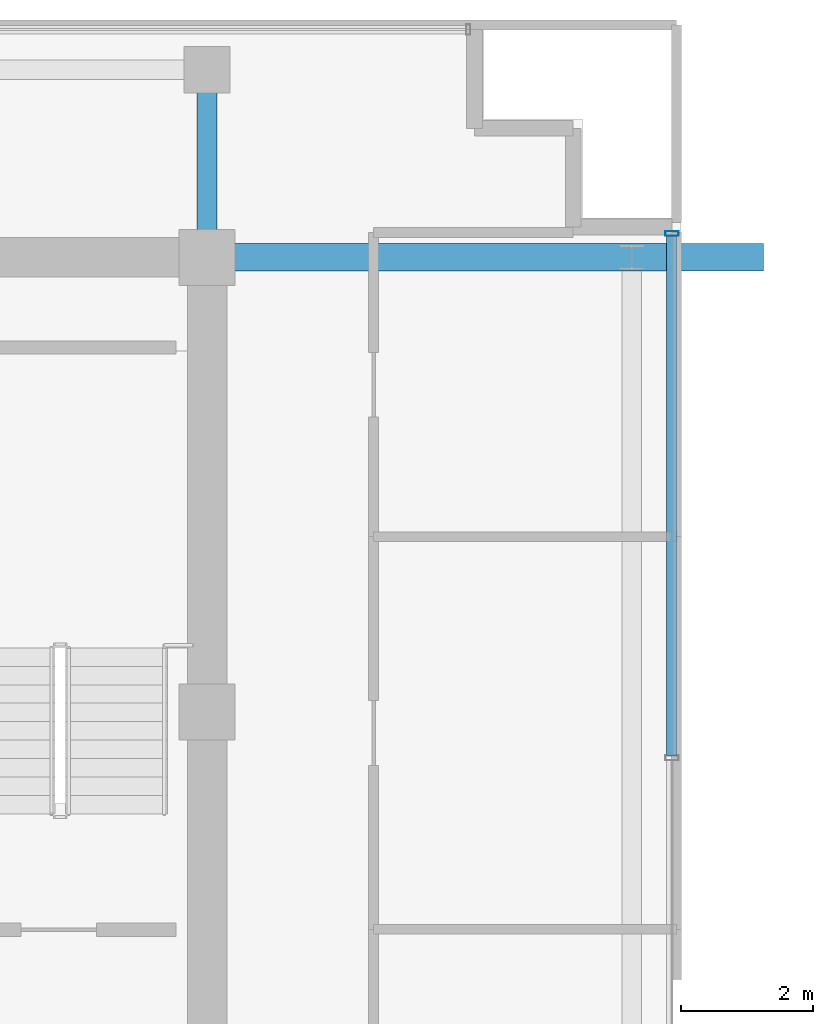
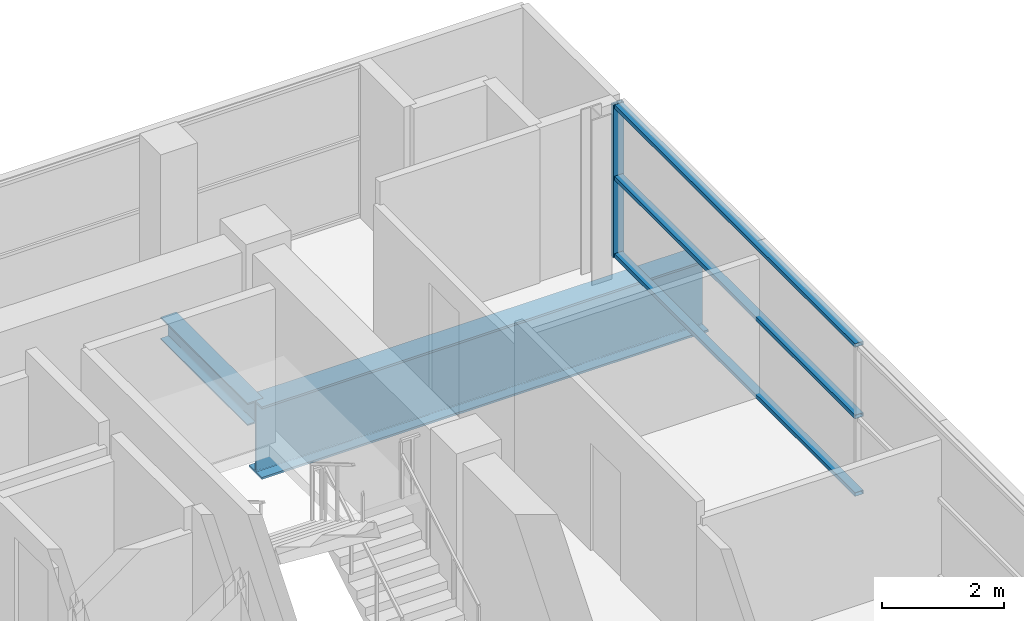
# One storey, part 16 of 29: 4 members, 2 beams, 1 element without a shape of its own.
"""IFC4 building model written with IfcOpenShell, lengths in metres."""

from ifc_helpers import new_model, si_unit, direction, frame, origin, origin_2d, place, context, subcontext, project, spatial, hollow_rectangle, i_section, extrude, source, transform, mapped, material, layer, layer_set, material_profile, profile_set, type_object, element, aggregate, save


model = new_model("IFC4")

# Units and contexts
model_context = context("Model", 3, precision=1e-05, world=origin(), true_north=direction((0.0, 1.0)))
body_context = subcontext(model_context, "Body", "Model", "MODEL_VIEW")
ifc_project = project(units=[si_unit("LENGTHUNIT", "METRE"), si_unit("AREAUNIT", "SQUARE_METRE"), si_unit("VOLUMEUNIT", "CUBIC_METRE"), si_unit("PLANEANGLEUNIT", "RADIAN"), si_unit("MASSUNIT", "GRAM", prefix="KILO")], contexts=[model_context])

# Site, building, storey
site_placement = place(None, origin())
site = spatial("IfcSite", under=ifc_project, at=site_placement, CompositionType="ELEMENT")
building_placement = place(site_placement, origin())
building = spatial("IfcBuilding", under=site, at=building_placement, Name="Zarnakvel Exchange Tower", CompositionType="ELEMENT")
storey_placement = place(building_placement, frame((0.0, 0.0, 258.39990234375)))
storey = spatial("IfcBuildingStorey", under=building, at=storey_placement, Name="L73", CompositionType="ELEMENT", Elevation=258.39990234375)

# Beams
ifc_material_1 = material(Name="Steel S355", Category="steel")
ifc_material_profile_1 = material_profile(ifc_material_1, i_section(OverallWidth=0.300048828125, OverallDepth=0.449951171875, WebThickness=0.013916015625, FlangeThickness=0.02587890625, FilletRadius=0.027099609375, at=origin_2d()))
ifc_profile_set_1 = profile_set([ifc_material_profile_1], Name="Steel S355")
beam_type_1 = type_object("IfcBeamType", Name="G-07", PredefinedType="BEAM", material=ifc_profile_set_1)
beam_1_placement = place(storey_placement, frame((14.39990234375, 13.5, -0.449951171875), z_axis=(0.0, 1.0, 0.0), x_axis=(-1.0, 0.0, 0.0)))
element("IfcBeam", 1, at=beam_1_placement, inside=storey, type_object=beam_type_1, Name="L73 Tower N-S Frame Beam", PredefinedType="BEAM", context=body_context, shape_type="SweptSolid", body=[
    extrude(i_section(OverallWidth=0.300048828125, OverallDepth=0.449951171875, WebThickness=0.013916015625, FlangeThickness=0.02587890625, FilletRadius=0.027099609375, at=origin_2d()), origin(), (0.0, 0.0, 1.0), 2.85009765625),
])
ifc_material_2 = material(Name="Steel S460", Category="steel")
ifc_material_profile_2 = material_profile(ifc_material_2, i_section(OverallWidth=0.419921875, OverallDepth=1.449951171875, WebThickness=0.02392578125, FlangeThickness=0.0400390625, FilletRadius=0.030029296875, at=origin_2d()))
ifc_profile_set_2 = profile_set([ifc_material_profile_2], Name="Steel S460")
beam_type_2 = type_object("IfcBeamType", Name="TG-01", PredefinedType="BEAM", material=ifc_profile_set_2)
beam_2_placement = place(storey_placement, frame((14.39990234375, 13.5, -0.949951171875), z_axis=(1.0, 0.0, 0.0), x_axis=(0.0, 1.0, 0.0)))
element("IfcBeam", 2, at=beam_2_placement, inside=storey, type_object=beam_type_2, Name="L73 Setback E-W Transfer Girder TE-F", PredefinedType="BEAM", context=body_context, shape_type="SweptSolid", body=[
    extrude(i_section(OverallWidth=0.419921875, OverallDepth=1.449951171875, WebThickness=0.02392578125, FlangeThickness=0.0400390625, FilletRadius=0.030029296875, at=origin_2d()), origin(), (0.0, 0.0, 1.0), 8.4501953125),
])

# Curtain wall, members
ifc_material_3 = material(Name="Architectural Bronze Anodised Aluminium", Category="aluminium")
ifc_layer = layer(ifc_material_3, 0.199951171875)
ifc_layer_set = layer_set([ifc_layer], Name="Architectural Bronze Anodised Aluminium")
curtain_wall_type = type_object("IfcCurtainWallType", Name="CW-04", PredefinedType="NOTDEFINED", material=ifc_layer_set)
curtain_wall_placement = place(storey_placement, origin())
curtain_wall = element("IfcCurtainWall", 3, at=curtain_wall_placement, inside=storey, type_object=curtain_wall_type, Name="L73 Curtain Wall CW-L73-EN (CW-04)", PredefinedType="NOTDEFINED")
ifc_material_profile_3 = material_profile(ifc_material_3, hollow_rectangle(XDim=0.199951171875, YDim=0.074951171875, WallThickness=0.0048828125, at=origin_2d()))
ifc_profile_set_3 = profile_set([ifc_material_profile_3], Name="Architectural Bronze Anodised Aluminium")
member_type_1 = type_object("IfcMemberType", Name="CWM-04", PredefinedType="MULLION", material=ifc_profile_set_3)
shared_shape_1 = source(origin(), body_context, "Body", "SweptSolid", [
    extrude(hollow_rectangle(XDim=0.199951171875, YDim=0.074951171875, WallThickness=0.0048828125, at=origin_2d()), origin(), (0.0, 0.0, 1.0), 3.05517578125),
])
member_1_placement = place(storey_placement, frame((21.4599609375, 13.862548828125, 0.0), z_axis=(0.0, 0.0, 1.0), x_axis=(-1.0, 0.0, 0.0)))
member_1 = element("IfcMember", 4, at=member_1_placement, type_object=member_type_1, Name="CW-04 mullion 3", PredefinedType="MULLION", context=body_context, shape_type="MappedRepresentation", body=[
    mapped(shared_shape_1, transform((0.0, 0.0, 0.0), x_axis=(1.0, 0.0, 0.0), y_axis=(0.0, 1.0, 0.0), z_axis=(0.0, 0.0, 1.0), scale=1.0)),
])
ifc_material_profile_4 = material_profile(ifc_material_3, hollow_rectangle(XDim=0.159912109375, YDim=0.074951171875, WallThickness=0.00390625, at=origin_2d()))
ifc_profile_set_4 = profile_set([ifc_material_profile_4], Name="Architectural Bronze Anodised Aluminium")
member_type_2 = type_object("IfcMemberType", Name="CWT-04", PredefinedType="USERDEFINED", material=ifc_profile_set_4)
shared_shape_2 = source(origin(), body_context, "Body", "SweptSolid", [
    extrude(hollow_rectangle(XDim=0.159912109375, YDim=0.074951171875, WallThickness=0.00390625, at=origin_2d()), origin(), (0.0, 0.0, 1.0), 7.887451171875),
])
member_2_placement = place(storey_placement, frame((21.4599609375, 5.9375, 0.03759765625), z_axis=(0.0, 1.0, 0.0), x_axis=(-1.0, 0.0, 0.0)))
member_2 = element("IfcMember", 5, at=member_2_placement, type_object=member_type_2, Name="CW-04 transom 2.1", ObjectType="TRANSOM", PredefinedType="USERDEFINED", context=body_context, shape_type="MappedRepresentation", body=[
    mapped(shared_shape_2, transform((0.0, 0.0, 0.0), x_axis=(1.0, 0.0, 0.0), y_axis=(0.0, 1.0, 0.0), z_axis=(0.0, 0.0, 1.0), scale=1.0)),
])
member_3_placement = place(storey_placement, frame((21.4599609375, 5.9375, 1.588623046875), z_axis=(0.0, 1.0, 0.0), x_axis=(-1.0, 0.0, 0.0)))
member_3 = element("IfcMember", 6, at=member_3_placement, type_object=member_type_2, Name="CW-04 transom 2.2", ObjectType="TRANSOM", PredefinedType="USERDEFINED", context=body_context, shape_type="MappedRepresentation", body=[
    mapped(shared_shape_2, transform((0.0, 0.0, 0.0), x_axis=(1.0, 0.0, 0.0), y_axis=(0.0, 1.0, 0.0), z_axis=(0.0, 0.0, 1.0), scale=1.0)),
])
member_4_placement = place(storey_placement, frame((21.4599609375, 5.9375, 3.017578125), z_axis=(0.0, 1.0, 0.0), x_axis=(-1.0, 0.0, 0.0)))
member_4 = element("IfcMember", 7, at=member_4_placement, type_object=member_type_2, Name="CW-04 transom 2.3", ObjectType="TRANSOM", PredefinedType="USERDEFINED", context=body_context, shape_type="MappedRepresentation", body=[
    mapped(shared_shape_2, transform((0.0, 0.0, 0.0), x_axis=(1.0, 0.0, 0.0), y_axis=(0.0, 1.0, 0.0), z_axis=(0.0, 0.0, 1.0), scale=1.0)),
])
aggregate(curtain_wall, [member_1, member_2, member_3, member_4])

save(model, "model.ifc")
